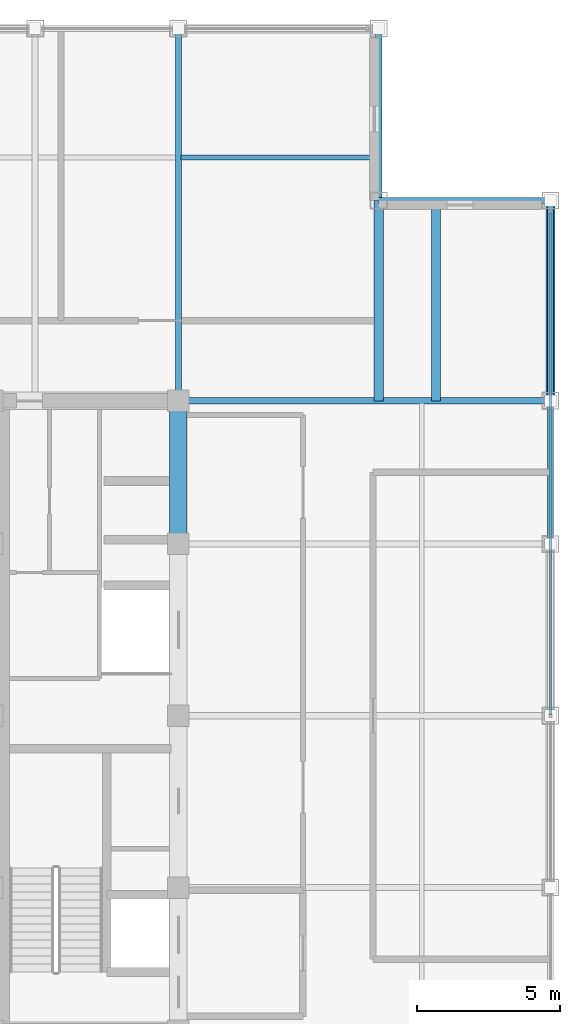
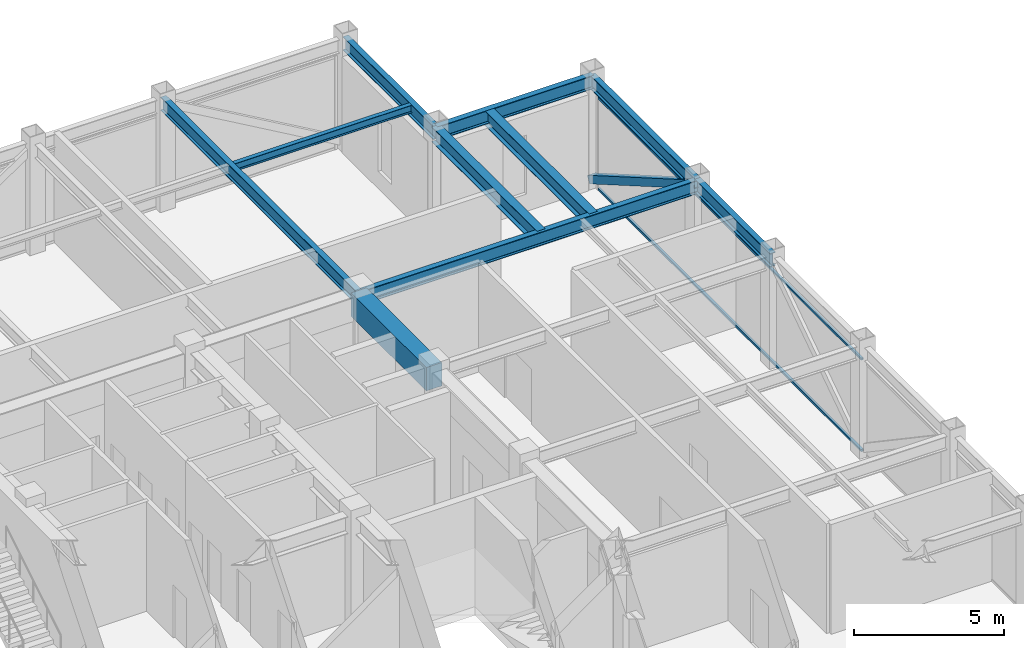
# One storey, part 19 of 27: 10 beams, 3 members, 1 element without a shape of its own.
"""IFC4 building model written with IfcOpenShell, lengths in metres."""

from ifc_helpers import new_model, si_unit, direction, frame, origin, origin_2d, place, context, subcontext, project, spatial, rectangle, hollow_rectangle, i_section, extrude, source, transform, mapped, material, material_profile, profile_set, type_object, element, aggregate, save


model = new_model("IFC4")

# Units and contexts
model_context = context("Model", 3, precision=1e-05, world=origin(), true_north=direction((0.0, 1.0)))
body_context = subcontext(model_context, "Body", "Model", "MODEL_VIEW")
ifc_project = project(units=[si_unit("LENGTHUNIT", "METRE"), si_unit("AREAUNIT", "SQUARE_METRE"), si_unit("VOLUMEUNIT", "CUBIC_METRE"), si_unit("PLANEANGLEUNIT", "RADIAN"), si_unit("MASSUNIT", "GRAM", prefix="KILO")], contexts=[model_context])

# Site, building, storey
site_placement = place(None, origin())
site = spatial("IfcSite", under=ifc_project, at=site_placement, CompositionType="ELEMENT")
building_placement = place(site_placement, origin())
building = spatial("IfcBuilding", under=site, at=building_placement, Name="Khorayat Bourse Tower", CompositionType="ELEMENT")
storey_placement = place(building_placement, frame((0.0, 0.0, 389.89990234375)))
storey = spatial("IfcBuildingStorey", under=building, at=storey_placement, Name="L92", CompositionType="ELEMENT", Elevation=389.89990234375)

# Beams
ifc_material_1 = material(Name="Concrete C60/75", Category="concrete")
ifc_material_profile_1 = material_profile(ifc_material_1, rectangle(XDim=0.60009765625, YDim=0.949951171875, at=origin_2d()), Name="RC 600x950")
ifc_profile_set_1 = profile_set([ifc_material_profile_1], Name="Concrete C60/75")
beam_type_1 = type_object("IfcBeamType", Name="BM-COUP-950", PredefinedType="BEAM", material=ifc_profile_set_1)
shared_shape_1 = source(origin(), body_context, "Body", "SweptSolid", [
    extrude(rectangle(XDim=0.60009765625, YDim=0.949951171875, at=origin_2d()), origin(), (0.0, 0.0, 1.0), 5.0),
])
beam_1_placement = place(storey_placement, frame((11.0, 6.0, 3.97509765625), z_axis=(0.0, 1.0, 0.0), x_axis=(-1.0, 0.0, 0.0)))
element("IfcBeam", 1, at=beam_1_placement, inside=storey, type_object=beam_type_1, Name="L92 BM-COUP-950 BM-L92-CRX-16", PredefinedType="BEAM", context=body_context, shape_type="MappedRepresentation", body=[
    mapped(shared_shape_1, transform((0.0, 0.0, 0.0), scale=1.0)),
])
ifc_material_2 = material(Name="Steel ASTM A992 Grade 50", Category="steel")
ifc_material_profile_2 = material_profile(ifc_material_2, i_section(OverallWidth=0.214111328125, OverallDepth=0.549072265625, WebThickness=0.0146484375, FlangeThickness=0.023681640625, FilletRadius=0.013916015625, at=origin_2d()), Name="W530X138")
ifc_profile_set_2 = profile_set([ifc_material_profile_2], Name="Steel ASTM A992 Grade 50")
beam_type_2 = type_object("IfcBeamType", Name="BM-SPAN-530", PredefinedType="SPANDREL", material=ifc_profile_set_2)
shared_shape_2 = source(origin(), body_context, "Body", "SweptSolid", [
    extrude(i_section(OverallWidth=0.214111328125, OverallDepth=0.549072265625, WebThickness=0.0146484375, FlangeThickness=0.023681640625, FilletRadius=0.013916015625, at=origin_2d()), origin(), (0.0, 0.0, 1.0), 5.0),
])
beam_2_placement = place(storey_placement, frame((24.0, 6.0, 4.175537109375), z_axis=(0.0, 1.0, 0.0), x_axis=(-1.0, 0.0, 0.0)))
element("IfcBeam", 2, at=beam_2_placement, inside=storey, type_object=beam_type_2, Name="L92 BM-SPAN-530 BM-L92-SPN-036", PredefinedType="SPANDREL", context=body_context, shape_type="MappedRepresentation", body=[
    mapped(shared_shape_2, transform((0.0, 0.0, 0.0), scale=1.0)),
])
shared_shape_3 = source(origin(), body_context, "Body", "SweptSolid", [
    extrude(i_section(OverallWidth=0.214111328125, OverallDepth=0.549072265625, WebThickness=0.0146484375, FlangeThickness=0.023681640625, FilletRadius=0.013916015625, at=origin_2d()), origin(), (0.0, 0.0, 1.0), 6.0),
])
for number, where, z_axis, x_axis, name in (
    (3, (18.0, 18.0, 4.175537109375), (1.0, 0.0, 0.0), (0.0, 1.0, 0.0), "L92 BM-SPAN-530 BM-L92-SPN-038"),
    (4, (18.0, 18.0, 4.175537109375), (0.0, 1.0, 0.0), (-1.0, 0.0, 0.0), "L92 BM-SPAN-530 BM-L92-SPN-039"),
):
    element("IfcBeam", number, at=place(storey_placement, frame(where, z_axis=z_axis, x_axis=x_axis)), inside=storey, type_object=beam_type_2, Name=name, PredefinedType="SPANDREL", context=body_context, shape_type="MappedRepresentation", body=[
        mapped(shared_shape_3, transform((0.0, 0.0, 0.0), scale=1.0)),
    ])
shared_shape_4 = source(origin(), body_context, "Body", "SweptSolid", [
    extrude(i_section(OverallWidth=0.214111328125, OverallDepth=0.549072265625, WebThickness=0.0146484375, FlangeThickness=0.023681640625, FilletRadius=0.013916015625, at=origin_2d()), origin(), (0.0, 0.0, 1.0), 7.0),
])
beam_3_placement = place(storey_placement, frame((24.0, 11.0, 4.175537109375), z_axis=(0.0, 1.0, 0.0), x_axis=(-1.0, 0.0, 0.0)))
element("IfcBeam", 5, at=beam_3_placement, inside=storey, type_object=beam_type_2, Name="L92 BM-SPAN-530 BM-L92-SPN-037", PredefinedType="SPANDREL", context=body_context, shape_type="MappedRepresentation", body=[
    mapped(shared_shape_4, transform((0.0, 0.0, 0.0), scale=1.0)),
])
ifc_material_profile_3 = material_profile(ifc_material_2, i_section(OverallWidth=0.214111328125, OverallDepth=0.549072265625, WebThickness=0.0146484375, FlangeThickness=0.023681640625, FilletRadius=0.013916015625, at=origin_2d()), Name="W530X138")
ifc_profile_set_3 = profile_set([ifc_material_profile_3], Name="Steel ASTM A992 Grade 50")
beam_type_3 = type_object("IfcBeamType", Name="BM-GIRD-530", PredefinedType="BEAM", material=ifc_profile_set_3)
shared_shape_5 = source(origin(), body_context, "Body", "SweptSolid", [
    extrude(i_section(OverallWidth=0.214111328125, OverallDepth=0.549072265625, WebThickness=0.0146484375, FlangeThickness=0.023681640625, FilletRadius=0.013916015625, at=origin_2d()), origin(), (0.0, 0.0, 1.0), 13.0),
])
for number, where, z_axis, x_axis, name in (
    (6, (11.0, 11.0, 4.175537109375), (0.0, 1.0, 0.0), (-1.0, 0.0, 0.0), "L92 BM-GIRD-530 BM-L92-RADY-064"),
    (7, (11.0, 11.0, 4.175537109375), (1.0, 0.0, 0.0), (0.0, 1.0, 0.0), "L92 BM-GIRD-530 BM-L92-RADX-074"),
):
    element("IfcBeam", number, at=place(storey_placement, frame(where, z_axis=z_axis, x_axis=x_axis)), inside=storey, type_object=beam_type_3, Name=name, PredefinedType="BEAM", context=body_context, shape_type="MappedRepresentation", body=[
        mapped(shared_shape_5, transform((0.0, 0.0, 0.0), scale=1.0)),
    ])
ifc_material_profile_4 = material_profile(ifc_material_2, i_section(OverallWidth=0.324951171875, OverallDepth=0.615966796875, WebThickness=0.013916015625, FlangeThickness=0.021484375, FilletRadius=0.01611328125, at=origin_2d()), Name="W610X174")
ifc_profile_set_4 = profile_set([ifc_material_profile_4], Name="Steel ASTM A992 Grade 50")
beam_type_4 = type_object("IfcBeamType", Name="BM-GIRD-610", PredefinedType="BEAM", material=ifc_profile_set_4)
shared_shape_6 = source(origin(), body_context, "Body", "SweptSolid", [
    extrude(i_section(OverallWidth=0.324951171875, OverallDepth=0.615966796875, WebThickness=0.013916015625, FlangeThickness=0.021484375, FilletRadius=0.01611328125, at=origin_2d()), origin(), (0.0, 0.0, 1.0), 7.0),
])
for number, where, z_axis, x_axis, name in (
    (8, (18.0, 11.0, 4.14208984375), (0.0, 1.0, 0.0), (-1.0, 0.0, 0.0), "L92 BM-GIRD-610 BM-L92-CNRY-079"),
    (9, (20.0, 11.0, 4.14208984375), (0.0, 1.0, 0.0), (-1.0, 0.0, 0.0), "L92 BM-GIRD-610 BM-L92-CNRY-083"),
):
    element("IfcBeam", number, at=place(storey_placement, frame(where, z_axis=z_axis, x_axis=x_axis)), inside=storey, type_object=beam_type_4, Name=name, PredefinedType="BEAM", context=body_context, shape_type="MappedRepresentation", body=[
        mapped(shared_shape_6, transform((0.0, 0.0, 0.0), scale=1.0)),
    ])
ifc_material_profile_5 = material_profile(ifc_material_2, i_section(OverallWidth=0.1669921875, OverallDepth=0.31689453125, WebThickness=0.007568359375, FlangeThickness=0.01318359375, FilletRadius=0.010009765625, at=origin_2d()), Name="W310X52")
ifc_profile_set_5 = profile_set([ifc_material_profile_5], Name="Steel ASTM A992 Grade 50")
beam_type_5 = type_object("IfcBeamType", Name="BM-JOIST-310", PredefinedType="JOIST", material=ifc_profile_set_5)
shared_shape_7 = source(origin(), body_context, "Body", "SweptSolid", [
    extrude(i_section(OverallWidth=0.1669921875, OverallDepth=0.31689453125, WebThickness=0.007568359375, FlangeThickness=0.01318359375, FilletRadius=0.010009765625, at=origin_2d()), origin(), (0.0, 0.0, 1.0), 6.81005859375),
])
beam_4_placement = place(storey_placement, frame((11.094970703125, 19.5, 4.29150390625), z_axis=(1.0, 0.0, 0.0), x_axis=(0.0, 1.0, 0.0)))
element("IfcBeam", 10, at=beam_4_placement, inside=storey, type_object=beam_type_5, Name="L92 BM-JOIST-310 BM-L92-JSTX-089", PredefinedType="JOIST", context=body_context, shape_type="MappedRepresentation", body=[
    mapped(shared_shape_7, transform((0.0, 0.0, 0.0), scale=1.0)),
])

# Member
ifc_material_3 = material(Name="Steel EN 10025-2 S355J2", Category="steel")
ifc_material_profile_6 = material_profile(ifc_material_3, hollow_rectangle(XDim=0.300048828125, YDim=0.300048828125, WallThickness=0.01611328125, at=origin_2d()), Name="HSS 300x300x16")
ifc_profile_set_6 = profile_set([ifc_material_profile_6], Name="Steel EN 10025-2 S355J2")
member_type_1 = type_object("IfcMemberType", Name="MBR-CROWN-300", PredefinedType="USERDEFINED", material=ifc_profile_set_6)
shared_shape_8 = source(origin(), body_context, "Body", "SweptSolid", [
    extrude(hollow_rectangle(XDim=0.300048828125, YDim=0.300048828125, WallThickness=0.01611328125, at=origin_2d()), origin(), (0.0, 0.0, 1.0), 8.087158203125),
])
member_1_placement = place(storey_placement, frame((24.0, 11.0, 4.25), z_axis=(0.0, 0.865577817, -0.500774442955), x_axis=(-1.0, 0.0, 0.0)))
element("IfcMember", 11, at=member_1_placement, inside=storey, type_object=member_type_1, Name="L92 Lantern Crown Frame Member 16", ObjectType="CROWN FRAME", PredefinedType="USERDEFINED", context=body_context, shape_type="MappedRepresentation", body=[
    mapped(shared_shape_8, transform((0.0, 0.0, 0.0), scale=1.0)),
])

# Curtain wall, members
ifc_material_4 = material(Name="Aluminium EN AW-6063 T6", Category="aluminium")
curtain_wall_type = type_object("IfcCurtainWallType", Name="CW-SYS-07", PredefinedType="NOTDEFINED", material=ifc_material_4)
curtain_wall_placement = place(storey_placement, origin())
curtain_wall = element("IfcCurtainWall", 12, at=curtain_wall_placement, inside=storey, type_object=curtain_wall_type, Name="L92 Curtain Wall CW-L92-E1", PredefinedType="NOTDEFINED")
ifc_material_profile_7 = material_profile(ifc_material_4, hollow_rectangle(XDim=0.090087890625, YDim=0.090087890625, WallThickness=0.00390625, at=origin_2d()), Name="ALU 90x90x4")
ifc_profile_set_7 = profile_set([ifc_material_profile_7], Name="Aluminium EN AW-6063 T6")
member_type_2 = type_object("IfcMemberType", Name="CWT-HORZ-90", PredefinedType="USERDEFINED", material=ifc_profile_set_7)
shared_shape_9 = source(origin(), body_context, "Body", "SweptSolid", [
    extrude(hollow_rectangle(XDim=0.090087890625, YDim=0.090087890625, WallThickness=0.00390625, at=origin_2d()), origin(), (0.0, 0.0, 1.0), 17.5),
])
member_2_placement = place(storey_placement, frame((24.0, 0.050048828125, 0.045166015625), z_axis=(0.0, 1.0, 0.0), x_axis=(-1.0, 0.0, 0.0)))
member_2 = element("IfcMember", 13, at=member_2_placement, type_object=member_type_2, Name="CW-L92-E1 Horizontal Transom 2-1", ObjectType="TRANSOM", PredefinedType="USERDEFINED", context=body_context, shape_type="MappedRepresentation", body=[
    mapped(shared_shape_9, transform((0.0, 0.0, 0.0), scale=1.0)),
])
member_3_placement = place(storey_placement, frame((24.0, 0.050048828125, 3.755126953125), z_axis=(0.0, 1.0, 0.0), x_axis=(-1.0, 0.0, 0.0)))
member_3 = element("IfcMember", 14, at=member_3_placement, type_object=member_type_2, Name="CW-L92-E1 Horizontal Transom 2-2", ObjectType="TRANSOM", PredefinedType="USERDEFINED", context=body_context, shape_type="MappedRepresentation", body=[
    mapped(shared_shape_9, transform((0.0, 0.0, 0.0), scale=1.0)),
])
aggregate(curtain_wall, [member_2, member_3])

save(model, "model.ifc")
